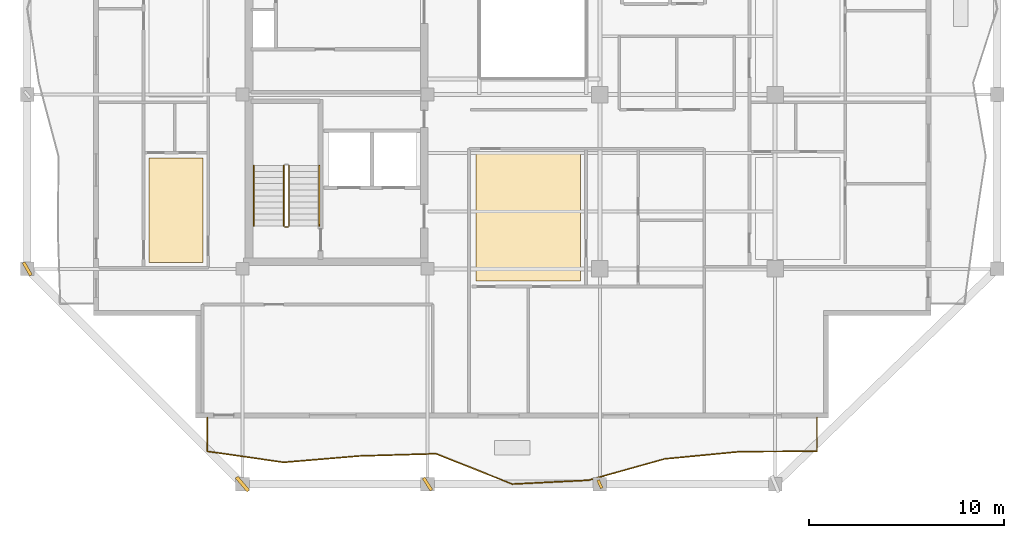
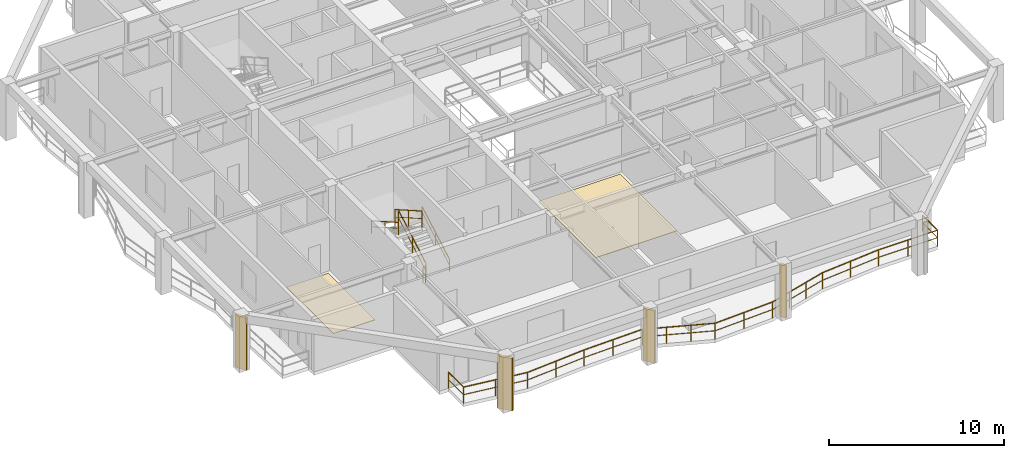
# One storey, part 8 of 12: 6 railings, 4 shading devices, 2 coverings.
"""IFC4 building model written with IfcOpenShell, lengths in metres."""

from ifc_helpers import new_model, si_unit, direction, frame, origin, origin_2d, place, context, subcontext, project, spatial, polyline, rectangle, outline, extrude, material, layer, layer_set, type_object, element, save


model = new_model("IFC4")

# Units and contexts
model_context = context("Model", 3, precision=1e-05, world=origin(), true_north=direction((0.0, 1.0)))
body_context = subcontext(model_context, "Body", "Model", "MODEL_VIEW")
ifc_project = project(units=[si_unit("LENGTHUNIT", "METRE"), si_unit("AREAUNIT", "SQUARE_METRE"), si_unit("VOLUMEUNIT", "CUBIC_METRE"), si_unit("PLANEANGLEUNIT", "RADIAN"), si_unit("MASSUNIT", "GRAM", prefix="KILO")], contexts=[model_context])

# Site, building, storey
site_placement = place(None, origin())
site = spatial("IfcSite", under=ifc_project, at=site_placement, CompositionType="ELEMENT")
building_placement = place(site_placement, origin())
building = spatial("IfcBuilding", under=site, at=building_placement, Name="Kundavana Baori Tower", CompositionType="ELEMENT")
storey_placement = place(building_placement, frame((0.0, 0.0, 233.60009765625)))
storey = spatial("IfcBuildingStorey", under=building, at=storey_placement, Name="L57", CompositionType="ELEMENT", Elevation=233.60009765625)

# Coverings
ifc_material_1 = material(Name="Honed Kota Stone and Terrazzo Flooring", Category="masonry")
ifc_layer_1 = layer(ifc_material_1, 0.0400390625, Name="COV-FLR-TERR-40")
ifc_layer_set_1 = layer_set([ifc_layer_1], Name="Honed Kota Stone and Terrazzo Flooring")
covering_type_1 = type_object("IfcCoveringType", Name="COV-FLR-TERR-40", PredefinedType="FLOORING", material=ifc_layer_set_1)
covering_1_placement = place(storey_placement, origin())
element("IfcCovering", 1, at=covering_1_placement, inside=storey, type_object=covering_type_1, Name="L57 Room Finished Stone Flooring 4", PredefinedType="FLOORING", context=body_context, shape_type="SweptSolid", body=[
    extrude(outline(polyline([(27.43994140625, 14.6201171875), (32.81005859375, 14.6201171875), (32.81005859375, 21.139892578125), (27.43994140625, 21.139892578125), (27.43994140625, 14.6201171875)])), origin(), (0.0, 0.0, 1.0), 0.039794921875),
])
ifc_material_2 = material(Name="Honed Kota Stone and Terrazzo Flooring", Category="masonry")
ifc_layer_2 = layer(ifc_material_2, 0.030029296875, Name="COV-INT-FLR")
ifc_layer_set_2 = layer_set([ifc_layer_2], Name="Honed Kota Stone and Terrazzo Flooring")
covering_type_2 = type_object("IfcCoveringType", Name="COV-INT-FLR", PredefinedType="FLOORING", material=ifc_layer_set_2)
covering_2_placement = place(storey_placement, origin())
element("IfcCovering", 2, at=covering_2_placement, inside=storey, type_object=covering_type_2, Name="L57 Room Finished Stone Flooring 1", PredefinedType="FLOORING", context=body_context, shape_type="SweptSolid", body=[
    extrude(outline(polyline([(10.64990234375, 15.580078125), (13.419921875, 15.580078125), (13.419921875, 20.93994140625), (10.64990234375, 20.93994140625), (10.64990234375, 15.580078125)])), origin(), (0.0, 0.0, 1.0), 0.02978515625),
])

# Railings
ifc_material_3 = material(Name="Architectural Patinated Bronze Metalwork")
railing_type_1 = type_object("IfcRailingType", Name="RL-BAL-1150", PredefinedType="BALUSTRADE", material=ifc_material_3)
railing_1_placement = place(storey_placement, frame((44.949951171875, 7.60009765625, 0.0)))
element("IfcRailing", 3, at=railing_1_placement, inside=storey, type_object=railing_type_1, Name="L57 Loggia Balcony Balustrade S", PredefinedType="BALUSTRADE", context=body_context, shape_type="SweptSolid", body=[
    extrude(rectangle(XDim=0.048095703125, YDim=0.048095703125, at=origin_2d()), frame((0.0, 0.0, 1.1259765625), z_axis=(0.0, -1.0, 0.0), x_axis=(1.0, 0.0, 0.0)), (0.0, 0.0, 1.0), 1.72021484375),
    extrude(rectangle(XDim=0.03125, YDim=0.03125, at=origin_2d()), frame((0.0, 0.0, 0.597900390625), z_axis=(0.0, -1.0, 0.0), x_axis=(1.0, 0.0, 0.0)), (0.0, 0.0, 1.0), 1.72021484375),
    extrude(rectangle(XDim=0.048095703125, YDim=0.048095703125, at=origin_2d()), frame((0.0, -1.72021484375, 1.1259765625), z_axis=(-0.999994529456, -0.003307727021, 0.0), x_axis=(0.003307727021, -0.999994529456, 0.0)), (0.0, 0.0, 1.0), 3.911865234375),
    extrude(rectangle(XDim=0.03125, YDim=0.03125, at=origin_2d()), frame((0.0, -1.72021484375, 0.597900390625), z_axis=(-0.999994529456, -0.003307727021, 0.0), x_axis=(0.003307727021, -0.999994529456, 0.0)), (0.0, 0.0, 1.0), 3.911865234375),
    extrude(rectangle(XDim=0.048095703125, YDim=0.048095703125, at=origin_2d()), frame((-3.911865234375, -1.733154296875, 1.1259765625), z_axis=(-0.995439474147, -0.095395247834, 0.0), x_axis=(0.095395247834, -0.995439474147, 0.0)), (0.0, 0.0, 1.0), 3.930908203125),
    extrude(rectangle(XDim=0.03125, YDim=0.03125, at=origin_2d()), frame((-3.911865234375, -1.733154296875, 0.597900390625), z_axis=(-0.995439474147, -0.095395247834, 0.0), x_axis=(0.095395247834, -0.995439474147, 0.0)), (0.0, 0.0, 1.0), 3.930908203125),
    extrude(rectangle(XDim=0.048095703125, YDim=0.048095703125, at=origin_2d()), frame((-7.824951171875, -2.108154296875, 1.1259765625), z_axis=(-0.962990853418, -0.26953407249, 0.0), x_axis=(0.26953407249, -0.962990853418, 0.0)), (0.0, 0.0, 1.0), 4.0625),
    extrude(rectangle(XDim=0.03125, YDim=0.03125, at=origin_2d()), frame((-7.824951171875, -2.108154296875, 0.597900390625), z_axis=(-0.962990853418, -0.26953407249, 0.0), x_axis=(0.26953407249, -0.962990853418, 0.0)), (0.0, 0.0, 1.0), 4.0625),
    extrude(rectangle(XDim=0.048095703125, YDim=0.048095703125, at=origin_2d()), frame((-11.737060546875, -3.203125, 1.1259765625), z_axis=(-0.998734716826, -0.050288819896, 0.0), x_axis=(0.050288819896, -0.998734716826, 0.0)), (0.0, 0.0, 1.0), 3.917724609375),
    extrude(rectangle(XDim=0.03125, YDim=0.03125, at=origin_2d()), frame((-11.737060546875, -3.203125, 0.597900390625), z_axis=(-0.998734716826, -0.050288819896, 0.0), x_axis=(0.050288819896, -0.998734716826, 0.0)), (0.0, 0.0, 1.0), 3.917724609375),
    extrude(rectangle(XDim=0.048095703125, YDim=0.048095703125, at=origin_2d()), frame((-15.64990234375, -3.400146484375, 1.1259765625), z_axis=(-0.929107153656, 0.369810623191, 0.0), x_axis=(-0.369810623191, -0.929107153656, 0.0)), (0.0, 0.0, 1.0), 4.210693359375),
    extrude(rectangle(XDim=0.03125, YDim=0.03125, at=origin_2d()), frame((-15.64990234375, -3.400146484375, 0.597900390625), z_axis=(-0.929107153656, 0.369810623191, 0.0), x_axis=(-0.369810623191, -0.929107153656, 0.0)), (0.0, 0.0, 1.0), 4.210693359375),
    extrude(rectangle(XDim=0.048095703125, YDim=0.048095703125, at=origin_2d()), frame((-19.56201171875, -1.843017578125, 1.1259765625), z_axis=(-0.999568454942, -0.029375225699, 0.0), x_axis=(0.029375225699, -0.999568454942, 0.0)), (0.0, 0.0, 1.0), 3.91455078125),
    extrude(rectangle(XDim=0.03125, YDim=0.03125, at=origin_2d()), frame((-19.56201171875, -1.843017578125, 0.597900390625), z_axis=(-0.999568454942, -0.029375225699, 0.0), x_axis=(0.029375225699, -0.999568454942, 0.0)), (0.0, 0.0, 1.0), 3.91455078125),
    extrude(rectangle(XDim=0.048095703125, YDim=0.048095703125, at=origin_2d()), frame((-23.474853515625, -1.9580078125, 1.1259765625), z_axis=(-0.996544042855, -0.08306606197, 0.0), x_axis=(0.08306606197, -0.996544042855, 0.0)), (0.0, 0.0, 1.0), 3.9267578125),
    extrude(rectangle(XDim=0.03125, YDim=0.03125, at=origin_2d()), frame((-23.474853515625, -1.9580078125, 0.597900390625), z_axis=(-0.996544042855, -0.08306606197, 0.0), x_axis=(0.08306606197, -0.996544042855, 0.0)), (0.0, 0.0, 1.0), 3.9267578125),
    extrude(rectangle(XDim=0.048095703125, YDim=0.048095703125, at=origin_2d()), frame((-27.387939453125, -2.2841796875, 1.1259765625), z_axis=(-0.989768326395, 0.142683776459, 0.0), x_axis=(-0.142683776459, -0.989768326395, 0.0)), (0.0, 0.0, 1.0), 3.95263671875),
    extrude(rectangle(XDim=0.03125, YDim=0.03125, at=origin_2d()), frame((-27.387939453125, -2.2841796875, 0.597900390625), z_axis=(-0.989768326395, 0.142683776459, 0.0), x_axis=(-0.142683776459, -0.989768326395, 0.0)), (0.0, 0.0, 1.0), 3.95263671875),
    extrude(rectangle(XDim=0.048095703125, YDim=0.048095703125, at=origin_2d()), frame((-31.300048828125, -1.72021484375, 1.1259765625), z_axis=(0.0, 1.0, 0.0), x_axis=(-1.0, 0.0, 0.0)), (0.0, 0.0, 1.0), 1.72021484375),
    extrude(rectangle(XDim=0.03125, YDim=0.03125, at=origin_2d()), frame((-31.300048828125, -1.72021484375, 0.597900390625), z_axis=(0.0, 1.0, 0.0), x_axis=(-1.0, 0.0, 0.0)), (0.0, 0.0, 1.0), 1.72021484375),
    extrude(rectangle(XDim=0.0419921875, YDim=0.0419921875, at=origin_2d()), origin(), (0.0, 0.0, 1.0), 1.101806640625),
    extrude(rectangle(XDim=0.0419921875, YDim=0.0419921875, at=origin_2d()), frame((0.0, -1.72021484375, 0.0)), (0.0, 0.0, 1.0), 1.101806640625),
    extrude(rectangle(XDim=0.0419921875, YDim=0.0419921875, at=origin_2d()), frame((-1.9560546875, -1.7265625, 0.0)), (0.0, 0.0, 1.0), 1.101806640625),
    extrude(rectangle(XDim=0.0419921875, YDim=0.0419921875, at=origin_2d()), frame((-3.911865234375, -1.733154296875, 0.0)), (0.0, 0.0, 1.0), 1.101806640625),
    extrude(rectangle(XDim=0.0419921875, YDim=0.0419921875, at=origin_2d()), frame((-5.868408203125, -1.920654296875, 0.0)), (0.0, 0.0, 1.0), 1.101806640625),
    extrude(rectangle(XDim=0.0419921875, YDim=0.0419921875, at=origin_2d()), frame((-7.824951171875, -2.108154296875, 0.0)), (0.0, 0.0, 1.0), 1.101806640625),
    extrude(rectangle(XDim=0.0419921875, YDim=0.0419921875, at=origin_2d()), frame((-9.12890625, -2.47314453125, 0.0)), (0.0, 0.0, 1.0), 1.101806640625),
    extrude(rectangle(XDim=0.0419921875, YDim=0.0419921875, at=origin_2d()), frame((-10.43310546875, -2.838134765625, 0.0)), (0.0, 0.0, 1.0), 1.101806640625),
    extrude(rectangle(XDim=0.0419921875, YDim=0.0419921875, at=origin_2d()), frame((-11.737060546875, -3.203125, 0.0)), (0.0, 0.0, 1.0), 1.101806640625),
    extrude(rectangle(XDim=0.0419921875, YDim=0.0419921875, at=origin_2d()), frame((-13.693359375, -3.3017578125, 0.0)), (0.0, 0.0, 1.0), 1.101806640625),
    extrude(rectangle(XDim=0.0419921875, YDim=0.0419921875, at=origin_2d()), frame((-15.64990234375, -3.400146484375, 0.0)), (0.0, 0.0, 1.0), 1.101806640625),
    extrude(rectangle(XDim=0.0419921875, YDim=0.0419921875, at=origin_2d()), frame((-16.953857421875, -2.881103515625, 0.0)), (0.0, 0.0, 1.0), 1.101806640625),
    extrude(rectangle(XDim=0.0419921875, YDim=0.0419921875, at=origin_2d()), frame((-18.258056640625, -2.362060546875, 0.0)), (0.0, 0.0, 1.0), 1.101806640625),
    extrude(rectangle(XDim=0.0419921875, YDim=0.0419921875, at=origin_2d()), frame((-19.56201171875, -1.843017578125, 0.0)), (0.0, 0.0, 1.0), 1.101806640625),
    extrude(rectangle(XDim=0.0419921875, YDim=0.0419921875, at=origin_2d()), frame((-21.5185546875, -1.900390625, 0.0)), (0.0, 0.0, 1.0), 1.101806640625),
    extrude(rectangle(XDim=0.0419921875, YDim=0.0419921875, at=origin_2d()), frame((-23.474853515625, -1.9580078125, 0.0)), (0.0, 0.0, 1.0), 1.101806640625),
    extrude(rectangle(XDim=0.0419921875, YDim=0.0419921875, at=origin_2d()), frame((-25.431396484375, -2.12109375, 0.0)), (0.0, 0.0, 1.0), 1.101806640625),
    extrude(rectangle(XDim=0.0419921875, YDim=0.0419921875, at=origin_2d()), frame((-27.387939453125, -2.2841796875, 0.0)), (0.0, 0.0, 1.0), 1.101806640625),
    extrude(rectangle(XDim=0.0419921875, YDim=0.0419921875, at=origin_2d()), frame((-29.343994140625, -2.002197265625, 0.0)), (0.0, 0.0, 1.0), 1.101806640625),
    extrude(rectangle(XDim=0.0419921875, YDim=0.0419921875, at=origin_2d()), frame((-31.300048828125, -1.72021484375, 0.0)), (0.0, 0.0, 1.0), 1.101806640625),
    extrude(rectangle(XDim=0.0419921875, YDim=0.0419921875, at=origin_2d()), frame((-31.300048828125, 0.0, 0.0)), (0.0, 0.0, 1.0), 1.101806640625),
])
ifc_material_4 = material(Name="Architectural Patinated Bronze Metalwork")
railing_type_2 = type_object("IfcRailingType", Name="RL-GRD-1150", PredefinedType="GUARDRAIL", material=ifc_material_4)
railing_2_placement = place(storey_placement, frame((17.840087890625, 17.449951171875, 0.17724609375)))
element("IfcRailing", 4, at=railing_2_placement, inside=storey, type_object=railing_type_2, Name="L57 ST1 stair guard 1", PredefinedType="GUARDRAIL", context=body_context, shape_type="SweptSolid", body=[
    extrude(rectangle(XDim=0.048095703125, YDim=0.048095703125, at=origin_2d()), frame((0.0, 0.0, 1.1259765625), z_axis=(0.0, 0.868095856688, 0.496396599103), x_axis=(-1.0, 0.0, 0.0)), (0.0, 0.0, 1.0), 3.571044921875),
    extrude(rectangle(XDim=0.03125, YDim=0.03125, at=origin_2d()), frame((0.0, 0.0, 0.597900390625), z_axis=(0.0, 0.868095856688, 0.496396599103), x_axis=(-1.0, 0.0, 0.0)), (0.0, 0.0, 1.0), 3.571044921875),
    extrude(rectangle(XDim=0.0419921875, YDim=0.0419921875, at=origin_2d()), origin(), (0.0, 0.0, 1.0), 1.101806640625),
    extrude(rectangle(XDim=0.0419921875, YDim=0.0419921875, at=origin_2d()), frame((0.0, 1.550048828125, 0.88623046875)), (0.0, 0.0, 1.0), 1.101806640625),
    extrude(rectangle(XDim=0.0419921875, YDim=0.0419921875, at=origin_2d()), frame((0.0, 3.10009765625, 1.772705078125)), (0.0, 0.0, 1.0), 1.101806640625),
])
railing_3_placement = place(storey_placement, frame((17.580078125, 20.550048828125, 2.127197265625)))
element("IfcRailing", 5, at=railing_3_placement, inside=storey, type_object=railing_type_2, Name="L57 ST1 stair guard 3", PredefinedType="GUARDRAIL", context=body_context, shape_type="SweptSolid", body=[
    extrude(rectangle(XDim=0.048095703125, YDim=0.048095703125, at=origin_2d()), frame((0.0, 0.0, 1.1259765625), z_axis=(0.0, -0.868095856688, 0.496396599103), x_axis=(1.0, 0.0, 0.0)), (0.0, 0.0, 1.0), 3.571044921875),
    extrude(rectangle(XDim=0.03125, YDim=0.03125, at=origin_2d()), frame((0.0, 0.0, 0.597900390625), z_axis=(0.0, -0.868095856688, 0.496396599103), x_axis=(1.0, 0.0, 0.0)), (0.0, 0.0, 1.0), 3.571044921875),
    extrude(rectangle(XDim=0.0419921875, YDim=0.0419921875, at=origin_2d()), origin(), (0.0, 0.0, 1.0), 1.101806640625),
    extrude(rectangle(XDim=0.0419921875, YDim=0.0419921875, at=origin_2d()), frame((0.0, -1.550048828125, 0.88623046875)), (0.0, 0.0, 1.0), 1.101806640625),
    extrude(rectangle(XDim=0.0419921875, YDim=0.0419921875, at=origin_2d()), frame((0.0, -3.10009765625, 1.772705078125)), (0.0, 0.0, 1.0), 1.101806640625),
])
railing_4_placement = place(storey_placement, frame((17.7900390625, 17.39990234375, 0.0)))
element("IfcRailing", 6, at=railing_4_placement, inside=storey, type_object=railing_type_2, Name="L57 ST1 stair guard 4", PredefinedType="GUARDRAIL", context=body_context, shape_type="SweptSolid", body=[
    extrude(rectangle(XDim=0.048095703125, YDim=0.048095703125, at=origin_2d()), frame((0.0, 0.0, 1.1259765625), z_axis=(-1.0, 0.0, 0.0), x_axis=(0.0, -1.0, 0.0)), (0.0, 0.0, 1.0), 0.16015625),
    extrude(rectangle(XDim=0.03125, YDim=0.03125, at=origin_2d()), frame((0.0, 0.0, 0.597900390625), z_axis=(-1.0, 0.0, 0.0), x_axis=(0.0, -1.0, 0.0)), (0.0, 0.0, 1.0), 0.16015625),
    extrude(rectangle(XDim=0.0419921875, YDim=0.0419921875, at=origin_2d()), origin(), (0.0, 0.0, 1.0), 1.101806640625),
    extrude(rectangle(XDim=0.0419921875, YDim=0.0419921875, at=origin_2d()), frame((-0.16015625, 0.0, 0.0)), (0.0, 0.0, 1.0), 1.101806640625),
])
ifc_material_5 = material(Name="Architectural Patinated Bronze Metalwork")
railing_type_3 = type_object("IfcRailingType", Name="RL-HND-920", PredefinedType="HANDRAIL", material=ifc_material_5)
railing_5_placement = place(storey_placement, frame((19.389892578125, 17.449951171875, 0.17724609375)))
element("IfcRailing", 7, at=railing_5_placement, inside=storey, type_object=railing_type_3, Name="L57 ST1 stair handrail 1", PredefinedType="HANDRAIL", context=body_context, shape_type="SweptSolid", body=[
    extrude(rectangle(XDim=0.048095703125, YDim=0.048095703125, at=origin_2d()), frame((0.0, 0.0, 0.8759765625), z_axis=(0.0, 0.868095856688, 0.496396599103), x_axis=(-1.0, 0.0, 0.0)), (0.0, 0.0, 1.0), 3.571044921875),
    extrude(rectangle(XDim=0.03125, YDim=0.03125, at=origin_2d()), frame((0.0, 0.0, 0.468017578125), z_axis=(0.0, 0.868095856688, 0.496396599103), x_axis=(-1.0, 0.0, 0.0)), (0.0, 0.0, 1.0), 3.571044921875),
    extrude(rectangle(XDim=0.0419921875, YDim=0.0419921875, at=origin_2d()), origin(), (0.0, 0.0, 1.0), 0.851806640625),
    extrude(rectangle(XDim=0.0419921875, YDim=0.0419921875, at=origin_2d()), frame((0.0, 1.550048828125, 0.88623046875)), (0.0, 0.0, 1.0), 0.851806640625),
    extrude(rectangle(XDim=0.0419921875, YDim=0.0419921875, at=origin_2d()), frame((0.0, 3.10009765625, 1.772705078125)), (0.0, 0.0, 1.0), 0.851806640625),
])
railing_6_placement = place(storey_placement, frame((16.030029296875, 20.550048828125, 2.127197265625)))
element("IfcRailing", 8, at=railing_6_placement, inside=storey, type_object=railing_type_3, Name="L57 ST1 stair handrail 2", PredefinedType="HANDRAIL", context=body_context, shape_type="SweptSolid", body=[
    extrude(rectangle(XDim=0.048095703125, YDim=0.048095703125, at=origin_2d()), frame((0.0, 0.0, 0.8759765625), z_axis=(0.0, -0.868095856688, 0.496396599103), x_axis=(1.0, 0.0, 0.0)), (0.0, 0.0, 1.0), 3.571044921875),
    extrude(rectangle(XDim=0.03125, YDim=0.03125, at=origin_2d()), frame((0.0, 0.0, 0.468017578125), z_axis=(0.0, -0.868095856688, 0.496396599103), x_axis=(1.0, 0.0, 0.0)), (0.0, 0.0, 1.0), 3.571044921875),
    extrude(rectangle(XDim=0.0419921875, YDim=0.0419921875, at=origin_2d()), origin(), (0.0, 0.0, 1.0), 0.851806640625),
    extrude(rectangle(XDim=0.0419921875, YDim=0.0419921875, at=origin_2d()), frame((0.0, -1.550048828125, 0.88623046875)), (0.0, 0.0, 1.0), 0.851806640625),
    extrude(rectangle(XDim=0.0419921875, YDim=0.0419921875, at=origin_2d()), frame((0.0, -3.10009765625, 1.772705078125)), (0.0, 0.0, 1.0), 0.851806640625),
])

# Shading devices
ifc_material_6 = material(Name="Red-Buff Dholpur Sandstone Cladding on Concrete C40/50", Category="masonry")
shading_device_type_1 = type_object("IfcShadingDeviceType", Name="SHD-FIN-750", PredefinedType="JALOUSIE", material=ifc_material_6)
for number, where, z_axis, x_axis, name in (
    (9, (24.949951171875, 4.199951171875, 0.0), (0.0, 0.0, 1.0), (0.844234393225, 0.53597414984, 0.0), "L57 Sweeping Dholpur Sandstone Facade Fin 2"),
    (10, (4.39990234375, 15.25, 0.0), (0.0, 0.0, 1.0), (0.864450336381, 0.502718227172, 0.0), "L57 Sweeping Dholpur Sandstone Facade Fin 5"),
):
    element("IfcShadingDevice", number, at=place(storey_placement, frame(where, z_axis=z_axis, x_axis=x_axis)), inside=storey, type_object=shading_device_type_1, Name=name, PredefinedType="JALOUSIE", context=body_context, shape_type="SweptSolid", body=[
        extrude(rectangle(XDim=0.159912109375, YDim=0.75, at=origin_2d()), origin(), (0.0, 0.0, 1.0), 3.659912109375),
    ])
ifc_material_7 = material(Name="Red-Buff Dholpur Sandstone Cladding on Concrete C40/50", Category="masonry")
shading_device_type_2 = type_object("IfcShadingDeviceType", Name="SHD-FIN-920", PredefinedType="JALOUSIE", material=ifc_material_7)
shading_device_1_placement = place(storey_placement, frame((15.449951171875, 4.199951171875, 0.0), z_axis=(0.0, 0.0, 1.0), x_axis=(0.758930458688, 0.651171681568, 0.0)))
element("IfcShadingDevice", 11, at=shading_device_1_placement, inside=storey, type_object=shading_device_type_2, Name="L57 Sweeping Dholpur Sandstone Facade Fin 1", PredefinedType="JALOUSIE", context=body_context, shape_type="SweptSolid", body=[
    extrude(rectangle(XDim=0.179931640625, YDim=0.919921875, at=origin_2d()), origin(), (0.0, 0.0, 1.0), 3.659912109375),
])
ifc_material_8 = material(Name="Architectural Patinated Bronze Metalwork")
shading_device_type_3 = type_object("IfcShadingDeviceType", Name="SHD-LOUV-450", PredefinedType="SHUTTER", material=ifc_material_8)
shading_device_2_placement = place(storey_placement, frame((33.800048828125, 4.199951171875, 0.0), z_axis=(0.0, 0.0, 1.0), x_axis=(0.914889221974, 0.403704980793, 0.0)))
element("IfcShadingDevice", 12, at=shading_device_2_placement, inside=storey, type_object=shading_device_type_3, Name="L57 Sweeping Dholpur Sandstone Facade Fin 3", PredefinedType="SHUTTER", context=body_context, shape_type="SweptSolid", body=[
    extrude(rectangle(XDim=0.139892578125, YDim=0.449951171875, at=origin_2d()), origin(), (0.0, 0.0, 1.0), 3.659912109375),
])

save(model, "model.ifc")
